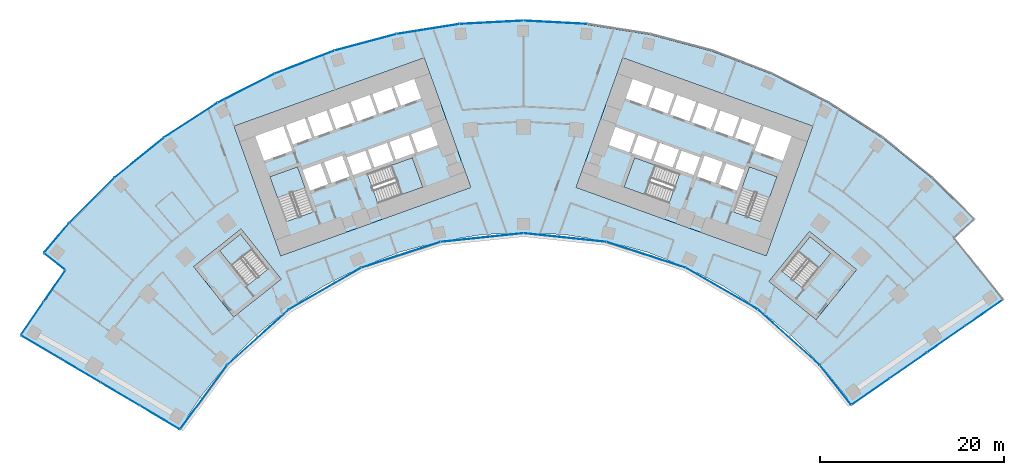
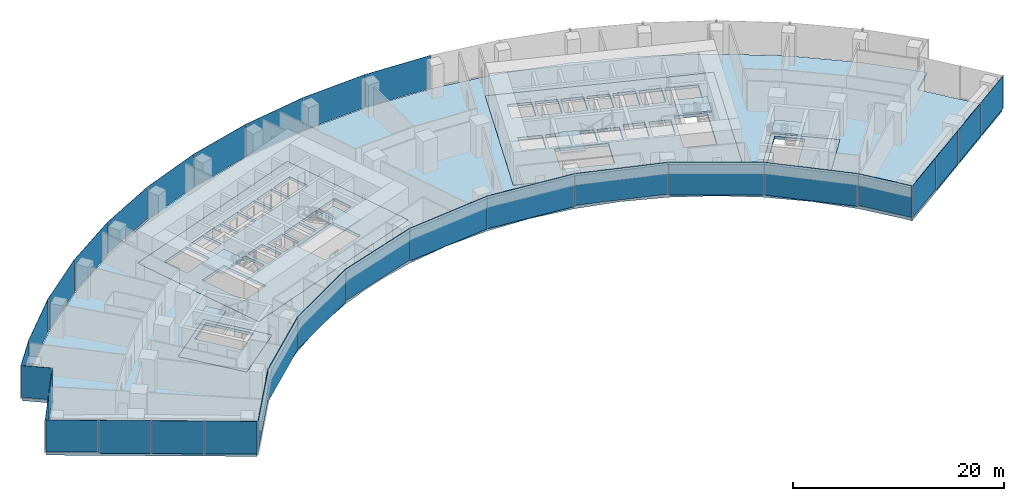
# One storey, part 12 of 21: 31 plates, 11 slabs, 12 elements without a shape of their own.
"""IFC4 building model written with IfcOpenShell, lengths in metres."""

from ifc_helpers import new_model, si_unit, direction, frame, origin, origin_2d, place, context, subcontext, project, spatial, polyline, rectangle, outline, extrude, material, layer, layer_set, type_object, element, aggregate, save


model = new_model("IFC4")

# Units and contexts
model_context = context("Model", 3, precision=1e-05, world=origin(), true_north=direction((0.0, 1.0)))
body_context = subcontext(model_context, "Body", "Model", "MODEL_VIEW")
ifc_project = project(units=[si_unit("LENGTHUNIT", "METRE"), si_unit("AREAUNIT", "SQUARE_METRE"), si_unit("VOLUMEUNIT", "CUBIC_METRE"), si_unit("PLANEANGLEUNIT", "RADIAN"), si_unit("MASSUNIT", "GRAM", prefix="KILO")], contexts=[model_context])

# Site, building, storey
site_placement = place(None, origin())
site = spatial("IfcSite", under=ifc_project, at=site_placement, CompositionType="ELEMENT")
building_placement = place(site_placement, origin())
building = spatial("IfcBuilding", under=site, at=building_placement, Name="Stone Belt Terrace Tower", CompositionType="ELEMENT")
storey_placement = place(building_placement, frame((0.0, 0.0, 60.39990234375)))
storey = spatial("IfcBuildingStorey", under=building, at=storey_placement, Name="L14", CompositionType="ELEMENT", Elevation=60.39990234375)

# Curtain wall, plates
ifc_material_1 = material(Name="Aluminium 6063-T6 anodised frame", Category="aluminium")
ifc_layer_1 = layer(ifc_material_1, 0.14990234375)
ifc_layer_set_1 = layer_set([ifc_layer_1], Name="CW-A unitised convex-face curtain wall")
curtain_wall_type_1 = type_object("IfcCurtainWallType", Name="CW-A unitised convex-face curtain wall", PredefinedType="NOTDEFINED", material=ifc_layer_set_1)
curtain_wall_1_placement = place(storey_placement, origin())
curtain_wall_1 = element("IfcCurtainWall", 1, at=curtain_wall_1_placement, inside=storey, type_object=curtain_wall_type_1, Name="CW-A convex face L14", PredefinedType="NOTDEFINED")
ifc_material_2 = material(Name="Clear double glazed unit")
ifc_layer_2 = layer(ifc_material_2, 0.031982421875)
ifc_layer_set_2 = layer_set([ifc_layer_2], Name="CW-A glass panel 32")
plate_type_1 = type_object("IfcPlateType", Name="CW-A glass panel 32", PredefinedType="CURTAIN_PANEL", material=ifc_layer_set_2)
plate_1_placement = place(storey_placement, frame((3.4794921875, 66.392822265625, 0.0), z_axis=(0.0, 0.0, 1.0), x_axis=(-0.998629534755, 0.052335956243, 0.0)))
plate_1 = element("IfcPlate", 2, at=plate_1_placement, type_object=plate_type_1, Name="CW-A panel 8.1", PredefinedType="CURTAIN_PANEL", context=body_context, shape_type="SweptSolid", body=[
    extrude(rectangle(XDim=6.90087890625, YDim=0.031982421875, at=origin_2d()), origin(), (0.0, 0.0, 1.0), 3.800048828125),
])
plate_2_placement = place(storey_placement, frame((-3.4794921875, 66.392822265625, 0.0), z_axis=(0.0, 0.0, 1.0), x_axis=(-0.998629534755, -0.052335956243, 0.0)))
plate_2 = element("IfcPlate", 3, at=plate_2_placement, type_object=plate_type_1, Name="CW-A panel 9.1", PredefinedType="CURTAIN_PANEL", context=body_context, shape_type="SweptSolid", body=[
    extrude(rectangle(XDim=6.90087890625, YDim=0.031982421875, at=origin_2d()), origin(), (0.0, 0.0, 1.0), 3.800048828125),
])
plate_3_placement = place(storey_placement, frame((-10.400390625, 65.665283203125, 0.0), z_axis=(0.0, 0.0, 1.0), x_axis=(-0.987688340595, -0.15643446504, 0.0)))
plate_3 = element("IfcPlate", 4, at=plate_3_placement, type_object=plate_type_1, Name="CW-A panel 10.1", PredefinedType="CURTAIN_PANEL", context=body_context, shape_type="SweptSolid", body=[
    extrude(rectangle(XDim=6.90087890625, YDim=0.031982421875, at=origin_2d()), origin(), (0.0, 0.0, 1.0), 3.800048828125),
])
plate_4_placement = place(storey_placement, frame((-17.207275390625, 64.218505859375, 0.0), z_axis=(0.0, 0.0, 1.0), x_axis=(-0.965925826289, -0.258819045103, 0.0)))
plate_4 = element("IfcPlate", 5, at=plate_4_placement, type_object=plate_type_1, Name="CW-A panel 11.1", PredefinedType="CURTAIN_PANEL", context=body_context, shape_type="SweptSolid", body=[
    extrude(rectangle(XDim=6.90087890625, YDim=0.031982421875, at=origin_2d()), origin(), (0.0, 0.0, 1.0), 3.800048828125),
])
plate_5_placement = place(storey_placement, frame((-23.82568359375, 62.068115234375, 0.0), z_axis=(0.0, 0.0, 1.0), x_axis=(-0.933580426497, -0.358367949545, 0.0)))
plate_5 = element("IfcPlate", 6, at=plate_5_placement, type_object=plate_type_1, Name="CW-A panel 12.1", PredefinedType="CURTAIN_PANEL", context=body_context, shape_type="SweptSolid", body=[
    extrude(rectangle(XDim=6.90087890625, YDim=0.031982421875, at=origin_2d()), origin(), (0.0, 0.0, 1.0), 3.800048828125),
])
plate_6_placement = place(storey_placement, frame((-30.18310546875, 59.237548828125, 0.14013671875), z_axis=(0.0, 0.0, 1.0), x_axis=(-0.891006524188, -0.45399049974, 0.0)))
plate_6 = element("IfcPlate", 7, at=plate_6_placement, type_object=plate_type_1, Name="CW-A panel 13.1", PredefinedType="CURTAIN_PANEL", context=body_context, shape_type="SweptSolid", body=[
    extrude(rectangle(XDim=6.90087890625, YDim=0.031982421875, at=origin_2d()), origin(), (0.0, 0.0, 1.0), 3.659912109375),
])
plate_7_placement = place(storey_placement, frame((-36.209716796875, 55.758056640625, 0.0), z_axis=(0.0, 0.0, 1.0), x_axis=(-0.838670567945, -0.544639035015, 0.0)))
plate_7 = element("IfcPlate", 8, at=plate_7_placement, type_object=plate_type_1, Name="CW-A panel 14.1", PredefinedType="CURTAIN_PANEL", context=body_context, shape_type="SweptSolid", body=[
    extrude(rectangle(XDim=6.90087890625, YDim=0.031982421875, at=origin_2d()), origin(), (0.0, 0.0, 1.0), 3.800048828125),
])
plate_8_placement = place(storey_placement, frame((-41.839599609375, 51.667724609375, 0.0), z_axis=(0.0, 0.0, 1.0), x_axis=(-0.777145961457, -0.62932039105, 0.0)))
plate_8 = element("IfcPlate", 9, at=plate_8_placement, type_object=plate_type_1, Name="CW-A panel 15.1", PredefinedType="CURTAIN_PANEL", context=body_context, shape_type="SweptSolid", body=[
    extrude(rectangle(XDim=6.90087890625, YDim=0.031982421875, at=origin_2d()), origin(), (0.0, 0.0, 1.0), 3.800048828125),
])
plate_9_placement = place(storey_placement, frame((-47.01123046875, 47.01123046875, 0.0), z_axis=(0.0, 0.0, 1.0), x_axis=(-0.707106781187, -0.707106781187, 0.0)))
plate_9 = element("IfcPlate", 10, at=plate_9_placement, type_object=plate_type_1, Name="CW-A panel 16.1", PredefinedType="CURTAIN_PANEL", context=body_context, shape_type="SweptSolid", body=[
    extrude(rectangle(XDim=6.90087890625, YDim=0.031982421875, at=origin_2d()), origin(), (0.0, 0.0, 1.0), 3.800048828125),
])
plate_10_placement = place(storey_placement, frame((-50.84423828125, 42.92626953125, 0.0), z_axis=(0.0, 0.0, 1.0), x_axis=(-0.645291395384, -0.763936525533, 0.0)))
plate_10 = element("IfcPlate", 11, at=plate_10_placement, type_object=plate_type_1, Name="CW-A panel 17.1", PredefinedType="CURTAIN_PANEL", context=body_context, shape_type="SweptSolid", body=[
    extrude(rectangle(XDim=4.17919921875, YDim=0.031982421875, at=origin_2d()), origin(), (0.0, 0.0, 1.0), 3.800048828125),
])
aggregate(curtain_wall_1, [plate_1, plate_2, plate_3, plate_4, plate_5, plate_6, plate_7, plate_8, plate_9, plate_10])

ifc_layer_3 = layer(ifc_material_1, 0.14990234375)
ifc_layer_set_3 = layer_set([ifc_layer_3], Name="CW-B unitised concave-face curtain wall")
curtain_wall_type_2 = type_object("IfcCurtainWallType", Name="CW-B unitised concave-face curtain wall", PredefinedType="NOTDEFINED", material=ifc_layer_set_3)
curtain_wall_2_placement = place(storey_placement, origin())
curtain_wall_2 = element("IfcCurtainWall", 12, at=curtain_wall_2_placement, inside=storey, type_object=curtain_wall_type_2, Name="CW-B concave face L14", PredefinedType="NOTDEFINED")
ifc_layer_4 = layer(ifc_material_2, 0.030029296875)
ifc_layer_set_4 = layer_set([ifc_layer_4], Name="CW-B glass panel 30")
plate_type_2 = type_object("IfcPlateType", Name="CW-B glass panel 30", PredefinedType="CURTAIN_PANEL", material=ifc_layer_set_4)
plate_11_placement = place(storey_placement, frame((-34.831787109375, 25.57177734375, 0.1201171875), z_axis=(0.0, 0.0, 1.0), x_axis=(0.592159017675, 0.805821132626, 0.0)))
plate_11 = element("IfcPlate", 13, at=plate_11_placement, type_object=plate_type_2, Name="CW-B panel 1.1", PredefinedType="CURTAIN_PANEL", context=body_context, shape_type="SweptSolid", body=[
    extrude(rectangle(XDim=8.583984375, YDim=0.030029296875, at=origin_2d()), origin(), (0.0, 0.0, 1.0), 3.679931640625),
])
plate_12_placement = place(storey_placement, frame((-28.897705078125, 32.09375, 0.0), z_axis=(0.0, 0.0, 1.0), x_axis=(0.743144825477, 0.669130606359, 0.0)))
plate_12 = element("IfcPlate", 14, at=plate_12_placement, type_object=plate_type_2, Name="CW-B panel 2.1", PredefinedType="CURTAIN_PANEL", context=body_context, shape_type="SweptSolid", body=[
    extrude(rectangle(XDim=9.01318359375, YDim=0.030029296875, at=origin_2d()), origin(), (0.0, 0.0, 1.0), 3.800048828125),
])
plate_13_placement = place(storey_placement, frame((-21.59326171875, 37.40087890625, 0.0), z_axis=(0.0, 0.0, 1.0), x_axis=(0.866025403784, 0.5, 0.0)))
plate_13 = element("IfcPlate", 15, at=plate_13_placement, type_object=plate_type_2, Name="CW-B panel 3.1", PredefinedType="CURTAIN_PANEL", context=body_context, shape_type="SweptSolid", body=[
    extrude(rectangle(XDim=9.0126953125, YDim=0.030029296875, at=origin_2d()), origin(), (0.0, 0.0, 1.0), 3.800048828125),
])
plate_14_placement = place(storey_placement, frame((-13.345458984375, 41.072998046875, 0.1201171875), z_axis=(0.0, 0.0, 1.0), x_axis=(0.951056516295, 0.309016994375, 0.0)))
plate_14 = element("IfcPlate", 16, at=plate_14_placement, type_object=plate_type_2, Name="CW-B panel 4.1", PredefinedType="CURTAIN_PANEL", context=body_context, shape_type="SweptSolid", body=[
    extrude(rectangle(XDim=9.0126953125, YDim=0.030029296875, at=origin_2d()), origin(), (0.0, 0.0, 1.0), 3.679931640625),
])
plate_15_placement = place(storey_placement, frame((-4.51416015625, 42.9501953125, 0.0), z_axis=(0.0, 0.0, 1.0), x_axis=(0.994521895368, 0.104528463268, 0.0)))
plate_15 = element("IfcPlate", 17, at=plate_15_placement, type_object=plate_type_2, Name="CW-B panel 5.1", PredefinedType="CURTAIN_PANEL", context=body_context, shape_type="SweptSolid", body=[
    extrude(rectangle(XDim=9.0126953125, YDim=0.030029296875, at=origin_2d()), origin(), (0.0, 0.0, 1.0), 3.800048828125),
])
plate_16_placement = place(storey_placement, frame((4.51416015625, 42.9501953125, 0.0), z_axis=(0.0, 0.0, 1.0), x_axis=(0.994521895368, -0.104528463268, 0.0)))
plate_16 = element("IfcPlate", 18, at=plate_16_placement, type_object=plate_type_2, Name="CW-B panel 6.1", PredefinedType="CURTAIN_PANEL", context=body_context, shape_type="SweptSolid", body=[
    extrude(rectangle(XDim=9.0126953125, YDim=0.030029296875, at=origin_2d()), origin(), (0.0, 0.0, 1.0), 3.800048828125),
])
plate_17_placement = place(storey_placement, frame((13.345458984375, 41.072998046875, 0.1201171875), z_axis=(0.0, 0.0, 1.0), x_axis=(0.951056516295, -0.309016994375, 0.0)))
plate_17 = element("IfcPlate", 19, at=plate_17_placement, type_object=plate_type_2, Name="CW-B panel 7.1", PredefinedType="CURTAIN_PANEL", context=body_context, shape_type="SweptSolid", body=[
    extrude(rectangle(XDim=9.0126953125, YDim=0.030029296875, at=origin_2d()), origin(), (0.0, 0.0, 1.0), 3.679931640625),
])
plate_18_placement = place(storey_placement, frame((21.59326171875, 37.40087890625, 0.0), z_axis=(0.0, 0.0, 1.0), x_axis=(0.866025403784, -0.5, 0.0)))
plate_18 = element("IfcPlate", 20, at=plate_18_placement, type_object=plate_type_2, Name="CW-B panel 8.1", PredefinedType="CURTAIN_PANEL", context=body_context, shape_type="SweptSolid", body=[
    extrude(rectangle(XDim=9.0126953125, YDim=0.030029296875, at=origin_2d()), origin(), (0.0, 0.0, 1.0), 3.800048828125),
])
plate_19_placement = place(storey_placement, frame((28.898681640625, 32.093017578125, 0.0), z_axis=(0.0, 0.0, 1.0), x_axis=(0.743144825477, -0.669130606359, 0.0)))
plate_19 = element("IfcPlate", 21, at=plate_19_placement, type_object=plate_type_2, Name="CW-B panel 9.1", PredefinedType="CURTAIN_PANEL", context=body_context, shape_type="SweptSolid", body=[
    extrude(rectangle(XDim=9.015869140625, YDim=0.030029296875, at=origin_2d()), origin(), (0.0, 0.0, 1.0), 3.800048828125),
])
plate_20_placement = place(storey_placement, frame((33.979248046875, 26.901123046875, 0.1201171875), z_axis=(0.0, 0.0, 1.0), x_axis=(0.621063679913, -0.783760107108, 0.0)))
plate_20 = element("IfcPlate", 22, at=plate_20_placement, type_object=plate_type_2, Name="CW-B panel 10.1", PredefinedType="CURTAIN_PANEL", context=body_context, shape_type="SweptSolid", body=[
    extrude(rectangle(XDim=5.435546875, YDim=0.030029296875, at=origin_2d()), origin(), (0.0, 0.0, 1.0), 3.679931640625),
])
aggregate(curtain_wall_2, [plate_11, plate_12, plate_13, plate_14, plate_15, plate_16, plate_17, plate_18, plate_19, plate_20])

ifc_layer_5 = layer(ifc_material_1, 0.14990234375)
ifc_layer_set_5 = layer_set([ifc_layer_5], Name="CW-C stick curtain wall, horn ends and notches")
curtain_wall_type_3 = type_object("IfcCurtainWallType", Name="CW-C stick curtain wall, horn ends and notches", PredefinedType="NOTDEFINED", material=ifc_layer_set_5)
curtain_wall_3_placement = place(storey_placement, origin())
curtain_wall_3 = element("IfcCurtainWall", 23, at=curtain_wall_3_placement, inside=storey, type_object=curtain_wall_type_3, Name="CW-C end face L14", PredefinedType="NOTDEFINED")
ifc_layer_6 = layer(ifc_material_2, 0.028076171875)
ifc_layer_set_6 = layer_set([ifc_layer_6], Name="CW-C glass panel 28")
plate_type_3 = type_object("IfcPlateType", Name="CW-C glass panel 28", PredefinedType="CURTAIN_PANEL", material=ifc_layer_set_6)
plate_21_placement = place(storey_placement, frame((37.81005859375, 26.17529296875, 0.1201171875), z_axis=(0.0, 0.0, 1.0), x_axis=(0.821271674793, 0.570537322339, 0.0)))
plate_21 = element("IfcPlate", 24, at=plate_21_placement, type_object=plate_type_3, Name="CW-C panel 1.1", PredefinedType="CURTAIN_PANEL", context=body_context, shape_type="SweptSolid", body=[
    extrude(rectangle(XDim=4.96728515625, YDim=0.028076171875, at=origin_2d()), origin(), (0.0, 0.0, 1.0), 3.679931640625),
])
plate_22_placement = place(storey_placement, frame((41.927734375, 29.035888671875, 0.0), z_axis=(0.0, 0.0, 1.0), x_axis=(0.821271674793, 0.570537322339, 0.0)))
plate_22 = element("IfcPlate", 25, at=plate_22_placement, type_object=plate_type_3, Name="CW-C panel 2.1", PredefinedType="CURTAIN_PANEL", context=body_context, shape_type="SweptSolid", body=[
    extrude(rectangle(XDim=4.93994140625, YDim=0.028076171875, at=origin_2d()), origin(), (0.0, 0.0, 1.0), 3.800048828125),
])
plate_23_placement = place(storey_placement, frame((46.033935546875, 31.888427734375, 0.0), z_axis=(0.0, 0.0, 1.0), x_axis=(0.821271674793, 0.570537322339, 0.0)))
plate_23 = element("IfcPlate", 26, at=plate_23_placement, type_object=plate_type_3, Name="CW-C panel 3.1", PredefinedType="CURTAIN_PANEL", context=body_context, shape_type="SweptSolid", body=[
    extrude(rectangle(XDim=4.93994140625, YDim=0.028076171875, at=origin_2d()), origin(), (0.0, 0.0, 1.0), 3.800048828125),
])
plate_24_placement = place(storey_placement, frame((50.15478515625, 34.751220703125, 0.0), z_axis=(0.0, 0.0, 1.0), x_axis=(0.821271674793, 0.570537322339, 0.0)))
plate_24 = element("IfcPlate", 27, at=plate_24_placement, type_object=plate_type_3, Name="CW-C panel 4.1", PredefinedType="CURTAIN_PANEL", context=body_context, shape_type="SweptSolid", body=[
    extrude(rectangle(XDim=4.974853515625, YDim=0.028076171875, at=origin_2d()), origin(), (0.0, 0.0, 1.0), 3.800048828125),
])
aggregate(curtain_wall_3, [plate_21, plate_22, plate_23, plate_24])

# Curtain wall, plate
curtain_wall_4_placement = place(storey_placement, origin())
curtain_wall_4 = element("IfcCurtainWall", 28, at=curtain_wall_4_placement, inside=storey, type_object=curtain_wall_type_3, Name="CW-C notch face L14", PredefinedType="NOTDEFINED")
plate_25_placement = place(storey_placement, frame((-51.061279296875, 40.3388671875, 0.1201171875), z_axis=(0.0, 0.0, 1.0), x_axis=(0.783963828584, -0.620806504051, 0.0)))
plate_25 = element("IfcPlate", 29, at=plate_25_placement, type_object=plate_type_3, Name="CW-C panel 1.1", PredefinedType="CURTAIN_PANEL", context=body_context, shape_type="SweptSolid", body=[
    extrude(rectangle(XDim=2.859375, YDim=0.028076171875, at=origin_2d()), origin(), (0.0, 0.0, 1.0), 3.679931640625),
])
aggregate(curtain_wall_4, [plate_25])

# Curtain wall, plates
curtain_wall_5_placement = place(storey_placement, origin())
curtain_wall_5 = element("IfcCurtainWall", 30, at=curtain_wall_5_placement, inside=storey, type_object=curtain_wall_type_3, Name="CW-C notch face L14", PredefinedType="NOTDEFINED")
plate_26_placement = place(storey_placement, frame((-51.091552734375, 37.647705078125, 0.1201171875), z_axis=(0.0, 0.0, 1.0), x_axis=(-0.566375967567, -0.824146991357, 0.0)))
plate_26 = element("IfcPlate", 31, at=plate_26_placement, type_object=plate_type_3, Name="CW-C panel 1.1", PredefinedType="CURTAIN_PANEL", context=body_context, shape_type="SweptSolid", body=[
    extrude(rectangle(XDim=4.12060546875, YDim=0.028076171875, at=origin_2d()), origin(), (0.0, 0.0, 1.0), 3.679931640625),
])
plate_27_placement = place(storey_placement, frame((-53.501220703125, 34.141357421875, 0.0), z_axis=(0.0, 0.0, 1.0), x_axis=(-0.566375967567, -0.824146991357, 0.0)))
plate_27 = element("IfcPlate", 32, at=plate_27_placement, type_object=plate_type_3, Name="CW-C panel 2.1", PredefinedType="CURTAIN_PANEL", context=body_context, shape_type="SweptSolid", body=[
    extrude(rectangle(XDim=4.268798828125, YDim=0.028076171875, at=origin_2d()), origin(), (0.0, 0.0, 1.0), 3.800048828125),
])
aggregate(curtain_wall_5, [plate_26, plate_27])

curtain_wall_6_placement = place(storey_placement, origin())
curtain_wall_6 = element("IfcCurtainWall", 33, at=curtain_wall_6_placement, inside=storey, type_object=curtain_wall_type_3, Name="CW-C end face L14", PredefinedType="NOTDEFINED")
plate_28_placement = place(storey_placement, frame((-52.54736328125, 31.014892578125, 0.1201171875), z_axis=(0.0, 0.0, 1.0), x_axis=(0.860557728521, -0.509352918793, 0.0)))
plate_28 = element("IfcPlate", 34, at=plate_28_placement, type_object=plate_type_3, Name="CW-C panel 1.1", PredefinedType="CURTAIN_PANEL", context=body_context, shape_type="SweptSolid", body=[
    extrude(rectangle(XDim=4.974853515625, YDim=0.028076171875, at=origin_2d()), origin(), (0.0, 0.0, 1.0), 3.679931640625),
])
plate_29_placement = place(storey_placement, frame((-48.2294921875, 28.459228515625, 0.0), z_axis=(0.0, 0.0, 1.0), x_axis=(0.860557728521, -0.509352918793, 0.0)))
plate_29 = element("IfcPlate", 35, at=plate_29_placement, type_object=plate_type_3, Name="CW-C panel 2.1", PredefinedType="CURTAIN_PANEL", context=body_context, shape_type="SweptSolid", body=[
    extrude(rectangle(XDim=4.93994140625, YDim=0.028076171875, at=origin_2d()), origin(), (0.0, 0.0, 1.0), 3.800048828125),
])
plate_30_placement = place(storey_placement, frame((-43.9267578125, 25.912353515625, 0.0), z_axis=(0.0, 0.0, 1.0), x_axis=(0.860557728521, -0.509352918793, 0.0)))
plate_30 = element("IfcPlate", 36, at=plate_30_placement, type_object=plate_type_3, Name="CW-C panel 3.1", PredefinedType="CURTAIN_PANEL", context=body_context, shape_type="SweptSolid", body=[
    extrude(rectangle(XDim=4.93994140625, YDim=0.028076171875, at=origin_2d()), origin(), (0.0, 0.0, 1.0), 3.800048828125),
])
plate_31_placement = place(storey_placement, frame((-39.613037109375, 23.359130859375, 0.0), z_axis=(0.0, 0.0, 1.0), x_axis=(0.860557728521, -0.509352918793, 0.0)))
plate_31 = element("IfcPlate", 37, at=plate_31_placement, type_object=plate_type_3, Name="CW-C panel 4.1", PredefinedType="CURTAIN_PANEL", context=body_context, shape_type="SweptSolid", body=[
    extrude(rectangle(XDim=4.96533203125, YDim=0.028076171875, at=origin_2d()), origin(), (0.0, 0.0, 1.0), 3.800048828125),
])
aggregate(curtain_wall_6, [plate_28, plate_29, plate_30, plate_31])

# Slabs
ifc_material_3 = material(Name="Concrete B40", Category="concrete")
ifc_layer_7 = layer(ifc_material_3, 0.320068359375)
ifc_layer_set_7 = layer_set([ifc_layer_7], Name="Core floor slab 320")
slab_type_1 = type_object("IfcSlabType", Name="Core floor slab 320", PredefinedType="FLOOR", material=ifc_layer_set_7)
slab_1_placement = place(storey_placement, frame((0.0, 0.0, -0.31982421875)))
element("IfcSlab", 38, at=slab_1_placement, inside=storey, type_object=slab_type_1, Name="Core A floor L14", PredefinedType="FLOOR", context=body_context, shape_type="SweptSolid", body=[
    extrude(outline(polyline([(-26.43505859375, 40.968994140625), (-5.735107421875, 48.4189453125), (-10.81396484375, 62.531982421875), (-31.513916015625, 55.0830078125), (-26.43505859375, 40.968994140625)]), holes=[polyline([(-24.60791015625, 50.659912109375), (-22.847900390625, 45.76806640625), (-25.85888671875, 44.68408203125), (-27.618896484375, 49.575927734375), (-24.60791015625, 50.659912109375)]), polyline([(-21.27392578125, 48.778076171875), (-23.25, 48.06689453125), (-24.06298828125, 50.324951171875), (-22.0869140625, 51.035888671875), (-21.27392578125, 48.778076171875)]), polyline([(-18.922119140625, 49.6240234375), (-20.89794921875, 48.9130859375), (-21.7109375, 51.1708984375), (-19.735107421875, 51.883056640625), (-18.922119140625, 49.6240234375)]), polyline([(-19.239990234375, 51.68896484375), (-17.217041015625, 52.4169921875), (-16.52294921875, 50.488037109375), (-18.5458984375, 49.760009765625), (-19.239990234375, 51.68896484375)]), polyline([(-29.2109375, 53.9990234375), (-26.153076171875, 55.09912109375), (-25.18798828125, 52.41796875), (-28.24609375, 51.31689453125), (-29.2109375, 53.9990234375)]), polyline([(-23.801025390625, 55.946044921875), (-23.0390625, 53.8291015625), (-25.10888671875, 53.083984375), (-25.87109375, 55.200927734375), (-23.801025390625, 55.946044921875)]), polyline([(-21.447998046875, 56.7919921875), (-20.68603515625, 54.675048828125), (-22.756103515625, 53.929931640625), (-23.51806640625, 56.047119140625), (-21.447998046875, 56.7919921875)]), polyline([(-19.095947265625, 57.638916015625), (-18.333984375, 55.52197265625), (-20.404052734375, 54.777099609375), (-21.166015625, 56.89404296875), (-19.095947265625, 57.638916015625)]), polyline([(-15.846923828125, 46.69189453125), (-16.998046875, 49.89208984375), (-12.10595703125, 51.652099609375), (-10.955078125, 48.452880859375), (-15.846923828125, 46.69189453125)]), polyline([(-16.239990234375, 50.589111328125), (-16.93408203125, 52.51806640625), (-14.864013671875, 53.262939453125), (-14.169921875, 51.333984375), (-16.239990234375, 50.589111328125)]), polyline([(-11.801025390625, 52.134033203125), (-11.847900390625, 52.116943359375), (-11.864990234375, 52.1640625), (-13.887939453125, 51.43603515625), (-14.58203125, 53.364990234375), (-12.511962890625, 54.110107421875), (-11.801025390625, 52.134033203125)]), polyline([(-9.30810546875, 53.031005859375), (-11.51904296875, 52.235107421875), (-12.22998046875, 54.2109375), (-10.01904296875, 55.007080078125), (-9.30810546875, 53.031005859375)]), polyline([(-16.743896484375, 58.485107421875), (-15.98193359375, 56.367919921875), (-18.052001953125, 55.623046875), (-18.81396484375, 57.739990234375), (-16.743896484375, 58.485107421875)]), polyline([(-14.39111328125, 59.33203125), (-13.6298828125, 57.215087890625), (-15.699951171875, 56.469970703125), (-16.4609375, 58.5869140625), (-14.39111328125, 59.33203125)]), polyline([(-11.89794921875, 60.22900390625), (-11.135986328125, 58.112060546875), (-13.346923828125, 57.31591796875), (-14.10888671875, 59.43408203125), (-11.89794921875, 60.22900390625)])]), origin(), (0.0, 0.0, 1.0), 0.31982421875),
])
slab_2_placement = place(storey_placement, frame((0.0, 0.0, -0.31982421875)))
element("IfcSlab", 39, at=slab_2_placement, inside=storey, type_object=slab_type_1, Name="Core B floor L14", PredefinedType="FLOOR", context=body_context, shape_type="SweptSolid", body=[
    extrude(outline(polyline([(26.43505859375, 40.968994140625), (31.513916015625, 55.0830078125), (10.81396484375, 62.531982421875), (5.735107421875, 48.4189453125), (26.43505859375, 40.968994140625)]), holes=[polyline([(12.10595703125, 51.652099609375), (16.998046875, 49.89208984375), (15.846923828125, 46.69189453125), (10.955078125, 48.452880859375), (12.10595703125, 51.652099609375)]), polyline([(19.239990234375, 51.68896484375), (18.5458984375, 49.760009765625), (16.52294921875, 50.488037109375), (17.217041015625, 52.4169921875), (19.239990234375, 51.68896484375)]), polyline([(16.239990234375, 50.589111328125), (14.169921875, 51.333984375), (14.864013671875, 53.262939453125), (16.93408203125, 52.51806640625), (16.239990234375, 50.589111328125)]), polyline([(14.58203125, 53.364990234375), (13.887939453125, 51.43603515625), (11.864990234375, 52.1640625), (11.847900390625, 52.116943359375), (11.801025390625, 52.134033203125), (12.511962890625, 54.110107421875), (14.58203125, 53.364990234375)]), polyline([(9.30810546875, 53.031005859375), (10.01904296875, 55.007080078125), (12.22998046875, 54.2109375), (11.51904296875, 52.235107421875), (9.30810546875, 53.031005859375)]), polyline([(16.743896484375, 58.485107421875), (18.81396484375, 57.739990234375), (18.052001953125, 55.623046875), (15.98193359375, 56.367919921875), (16.743896484375, 58.485107421875)]), polyline([(14.39111328125, 59.33203125), (16.4609375, 58.5869140625), (15.699951171875, 56.469970703125), (13.6298828125, 57.215087890625), (14.39111328125, 59.33203125)]), polyline([(11.89794921875, 60.22900390625), (14.10888671875, 59.43408203125), (13.346923828125, 57.31591796875), (11.135986328125, 58.112060546875), (11.89794921875, 60.22900390625)]), polyline([(25.85888671875, 44.68408203125), (22.847900390625, 45.76806640625), (24.60791015625, 50.659912109375), (27.618896484375, 49.575927734375), (25.85888671875, 44.68408203125)]), polyline([(21.27392578125, 48.778076171875), (22.0869140625, 51.035888671875), (24.06298828125, 50.324951171875), (23.25, 48.06689453125), (21.27392578125, 48.778076171875)]), polyline([(18.922119140625, 49.6240234375), (19.735107421875, 51.883056640625), (21.7109375, 51.1708984375), (20.89794921875, 48.9130859375), (18.922119140625, 49.6240234375)]), polyline([(29.2109375, 53.9990234375), (28.24609375, 51.31689453125), (25.18798828125, 52.41796875), (26.153076171875, 55.09912109375), (29.2109375, 53.9990234375)]), polyline([(23.801025390625, 55.946044921875), (25.87109375, 55.200927734375), (25.10888671875, 53.083984375), (23.0390625, 53.8291015625), (23.801025390625, 55.946044921875)]), polyline([(21.447998046875, 56.7919921875), (23.51806640625, 56.047119140625), (22.756103515625, 53.929931640625), (20.68603515625, 54.675048828125), (21.447998046875, 56.7919921875)]), polyline([(19.095947265625, 57.638916015625), (21.166015625, 56.89404296875), (20.404052734375, 54.777099609375), (18.333984375, 55.52197265625), (19.095947265625, 57.638916015625)])]), origin(), (0.0, 0.0, 1.0), 0.31982421875),
])
slab_3_placement = place(storey_placement, frame((0.0, 0.0, -0.31982421875)))
element("IfcSlab", 40, at=slab_3_placement, inside=storey, type_object=slab_type_1, Name="Exit stair ST3A floor L14", PredefinedType="FLOOR", context=body_context, shape_type="SweptSolid", body=[
    extrude(outline(polyline([(-26.39404296875, 38.425048828125), (-30.756103515625, 43.89990234375), (-35.91796875, 39.787109375), (-31.555908203125, 34.31298828125), (-26.39404296875, 38.425048828125)]), holes=[polyline([(-27.798095703125, 39.544921875), (-30.06591796875, 37.738037109375), (-33.087890625, 41.531005859375), (-30.820068359375, 43.337890625), (-27.798095703125, 39.544921875)])]), origin(), (0.0, 0.0, 1.0), 0.31982421875),
])
slab_4_placement = place(storey_placement, frame((0.0, 0.0, -0.31982421875)))
element("IfcSlab", 41, at=slab_4_placement, inside=storey, type_object=slab_type_1, Name="Exit stair ST3B floor L14", PredefinedType="FLOOR", context=body_context, shape_type="SweptSolid", body=[
    extrude(outline(polyline([(26.741943359375, 38.18408203125), (31.866943359375, 34.02392578125), (36.278076171875, 39.458984375), (31.154052734375, 43.618896484375), (26.741943359375, 38.18408203125)]), holes=[polyline([(30.407958984375, 37.462890625), (28.156005859375, 39.291015625), (31.2119140625, 43.055908203125), (33.464111328125, 41.22802734375), (30.407958984375, 37.462890625)])]), origin(), (0.0, 0.0, 1.0), 0.31982421875),
])
ifc_layer_8 = layer(ifc_material_3, 0.320068359375)
ifc_layer_set_8 = layer_set([ifc_layer_8], Name="Floor slab 320 B40")
slab_type_2 = type_object("IfcSlabType", Name="Floor slab 320 B40", PredefinedType="FLOOR", material=ifc_layer_set_8)
slab_5_placement = place(storey_placement, frame((0.0, 0.0, -0.31982421875)))
element("IfcSlab", 42, at=slab_5_placement, inside=storey, type_object=slab_type_2, Name="Floor slab L14", PredefinedType="FLOOR", context=body_context, shape_type="SweptSolid", body=[
    extrude(outline(polyline([(-49.419189453125, 44.497314453125), (-44.497314453125, 49.419189453125), (-39.087646484375, 53.799560546875), (-33.25, 57.5908203125), (-27.048095703125, 60.750732421875), (-20.549560546875, 63.245361328125), (-13.826171875, 65.046875), (-6.951171875, 66.1357421875), (0.0, 66.5), (6.951171875, 66.1357421875), (13.826171875, 65.046875), (20.549560546875, 63.245361328125), (27.048095703125, 60.750732421875), (33.25, 57.5908203125), (39.087646484375, 53.799560546875), (44.497314453125, 49.419189453125), (48.99609375, 44.962646484375), (46.78564453125, 42.934326171875), (52.15087890625, 36.22900390625), (35.725341796875, 24.818359375), (35.192138671875, 25.568603515625), (32.326904296875, 29.107177734375), (29.107177734375, 32.326904296875), (25.568603515625, 35.192138671875), (21.75, 37.672119140625), (17.693115234375, 39.7392578125), (13.442138671875, 41.37109375), (9.044189453125, 42.54931640625), (4.547119140625, 43.26171875), (0.0, 43.5), (-4.547119140625, 43.26171875), (-9.044189453125, 42.54931640625), (-13.442138671875, 41.37109375), (-17.693115234375, 39.7392578125), (-21.75, 37.672119140625), (-25.568603515625, 35.192138671875), (-29.107177734375, 32.326904296875), (-32.326904296875, 29.107177734375), (-35.192138671875, 25.568603515625), (-37.434326171875, 22.156982421875), (-54.6455078125, 32.343994140625), (-49.78173828125, 39.421142578125), (-52.133544921875, 41.28369140625), (-49.419189453125, 44.497314453125)]), holes=[polyline([(-26.434814453125, 40.968994140625), (-5.734619140625, 48.418701171875), (-10.81396484375, 62.532470703125), (-31.51416015625, 55.082763671875), (-26.434814453125, 40.968994140625)]), polyline([(10.81396484375, 62.532470703125), (5.734619140625, 48.418701171875), (26.434814453125, 40.968994140625), (31.51416015625, 55.082763671875), (10.81396484375, 62.532470703125)]), polyline([(-35.91796875, 39.787353515625), (-31.55615234375, 34.3125), (-26.39404296875, 38.425048828125), (-30.756103515625, 43.89990234375), (-35.91796875, 39.787353515625)]), polyline([(36.2783203125, 39.459228515625), (31.15380859375, 43.61865234375), (26.742431640625, 38.18359375), (31.86669921875, 34.024169921875), (36.2783203125, 39.459228515625)])]), origin(), (0.0, 0.0, 1.0), 0.31982421875),
])

# Stair, slab
stair_type = type_object("IfcStairType", Name="Exit stair 1500", PredefinedType="HALF_TURN_STAIR", material=ifc_material_3)
stair_1_placement = place(storey_placement, origin())
stair_1 = element("IfcStair", 43, at=stair_1_placement, inside=storey, type_object=stair_type, Name="L14 Exit stair 1 core A", PredefinedType="HALF_TURN_STAIR")
ifc_layer_9 = layer(ifc_material_3, 0.199951171875)
ifc_layer_set_9 = layer_set([ifc_layer_9], Name="Stair landing 200")
slab_type_3 = type_object("IfcSlabType", Name="Stair landing 200", PredefinedType="LANDING", material=ifc_layer_set_9)
slab_6_placement = place(storey_placement, frame((0.0, 0.0, 1.7001953125)))
slab_6 = element("IfcSlab", 44, at=slab_6_placement, type_object=slab_type_3, Name="ST1A landing 1", PredefinedType="LANDING", context=body_context, shape_type="SweptSolid", body=[
    extrude(outline(polyline([(-23.79541015625, 48.40087890625), (-24.6083984375, 50.659912109375), (-27.619384765625, 49.576171875), (-26.806396484375, 47.3173828125), (-23.79541015625, 48.40087890625)])), origin(), (0.0, 0.0, 1.0), 0.199951171875),
])
aggregate(stair_1, [slab_6])

stair_2_placement = place(storey_placement, origin())
stair_2 = element("IfcStair", 45, at=stair_2_placement, inside=storey, type_object=stair_type, Name="L14 Exit stair 2 core A", PredefinedType="HALF_TURN_STAIR")
slab_7_placement = place(storey_placement, frame((0.0, 0.0, 1.7001953125)))
slab_7 = element("IfcSlab", 46, at=slab_7_placement, type_object=slab_type_3, Name="ST2A landing 1", PredefinedType="LANDING", context=body_context, shape_type="SweptSolid", body=[
    extrude(outline(polyline([(-13.213623046875, 47.64013671875), (-10.95458984375, 48.453125), (-12.10595703125, 51.652099609375), (-14.36474609375, 50.839111328125), (-13.213623046875, 47.64013671875)])), origin(), (0.0, 0.0, 1.0), 0.199951171875),
])
aggregate(stair_2, [slab_7])

stair_3_placement = place(storey_placement, origin())
stair_3 = element("IfcStair", 47, at=stair_3_placement, inside=storey, type_object=stair_type, Name="L14 Exit stair 1 core B", PredefinedType="HALF_TURN_STAIR")
slab_8_placement = place(storey_placement, frame((0.0, 0.0, 1.7001953125)))
slab_8 = element("IfcSlab", 48, at=slab_8_placement, type_object=slab_type_3, Name="ST1B landing 1", PredefinedType="LANDING", context=body_context, shape_type="SweptSolid", body=[
    extrude(outline(polyline([(26.806396484375, 47.3173828125), (27.619384765625, 49.576171875), (24.6083984375, 50.659912109375), (23.79541015625, 48.40087890625), (26.806396484375, 47.3173828125)])), origin(), (0.0, 0.0, 1.0), 0.199951171875),
])
aggregate(stair_3, [slab_8])

stair_4_placement = place(storey_placement, origin())
stair_4 = element("IfcStair", 49, at=stair_4_placement, inside=storey, type_object=stair_type, Name="L14 Exit stair 2 core B", PredefinedType="HALF_TURN_STAIR")
slab_9_placement = place(storey_placement, frame((0.0, 0.0, 1.7001953125)))
slab_9 = element("IfcSlab", 50, at=slab_9_placement, type_object=slab_type_3, Name="ST2B landing 1", PredefinedType="LANDING", context=body_context, shape_type="SweptSolid", body=[
    extrude(outline(polyline([(14.36474609375, 50.839111328125), (12.10595703125, 51.652099609375), (10.95458984375, 48.453125), (13.213623046875, 47.64013671875), (14.36474609375, 50.839111328125)])), origin(), (0.0, 0.0, 1.0), 0.199951171875),
])
aggregate(stair_4, [slab_9])

stair_5_placement = place(storey_placement, origin())
stair_5 = element("IfcStair", 51, at=stair_5_placement, inside=storey, type_object=stair_type, Name="L14 Exit stair 3A", PredefinedType="HALF_TURN_STAIR")
slab_10_placement = place(storey_placement, frame((0.0, 0.0, 1.7001953125)))
slab_10 = element("IfcSlab", 52, at=slab_10_placement, type_object=slab_type_3, Name="ST3A landing 1", PredefinedType="LANDING", context=body_context, shape_type="SweptSolid", body=[
    extrude(outline(polyline([(-29.541748046875, 41.73388671875), (-30.819580078125, 43.337890625), (-33.087646484375, 41.53076171875), (-31.809814453125, 39.9267578125), (-29.541748046875, 41.73388671875)])), origin(), (0.0, 0.0, 1.0), 0.199951171875),
])
aggregate(stair_5, [slab_10])

stair_6_placement = place(storey_placement, origin())
stair_6 = element("IfcStair", 53, at=stair_6_placement, inside=storey, type_object=stair_type, Name="L14 Exit stair 3B", PredefinedType="HALF_TURN_STAIR")
slab_11_placement = place(storey_placement, frame((0.0, 0.0, 1.7001953125)))
slab_11 = element("IfcSlab", 54, at=slab_11_placement, type_object=slab_type_3, Name="ST3B landing 1", PredefinedType="LANDING", context=body_context, shape_type="SweptSolid", body=[
    extrude(outline(polyline([(32.17138671875, 39.635986328125), (33.4638671875, 41.228271484375), (31.21240234375, 43.055908203125), (29.919921875, 41.463623046875), (32.17138671875, 39.635986328125)])), origin(), (0.0, 0.0, 1.0), 0.199951171875),
])
aggregate(stair_6, [slab_11])

save(model, "model.ifc")
